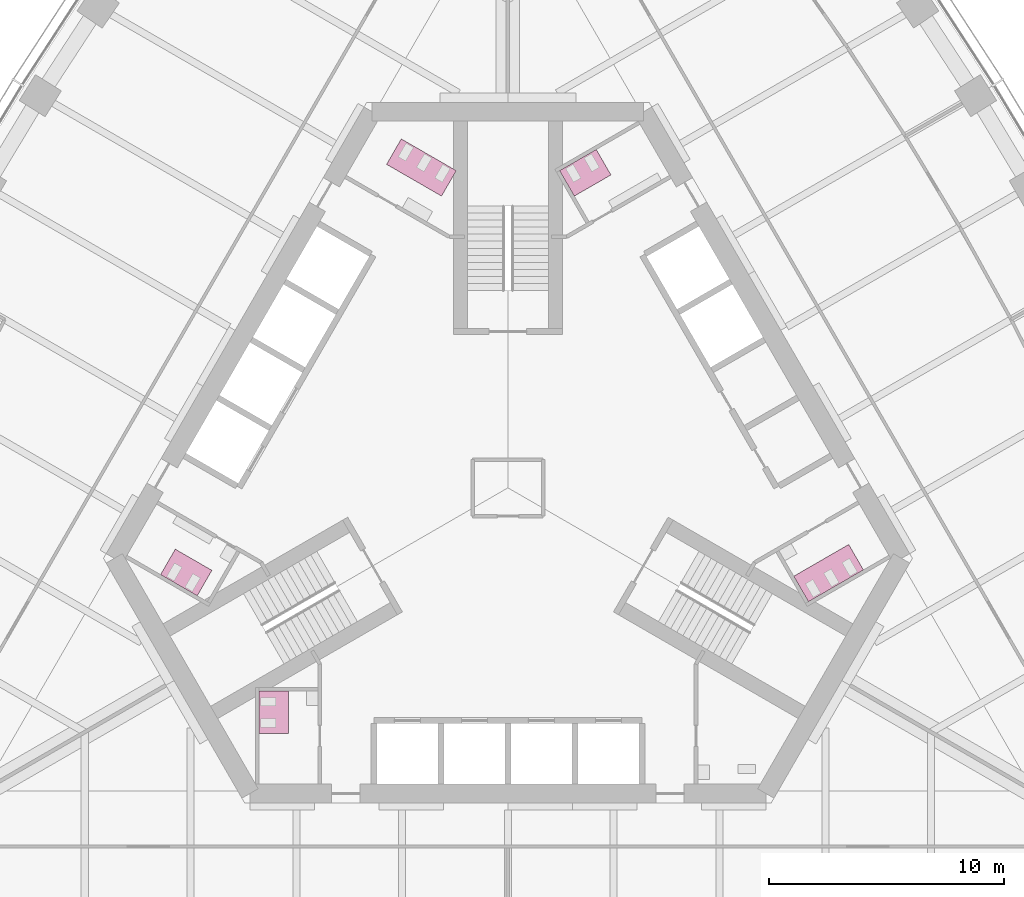
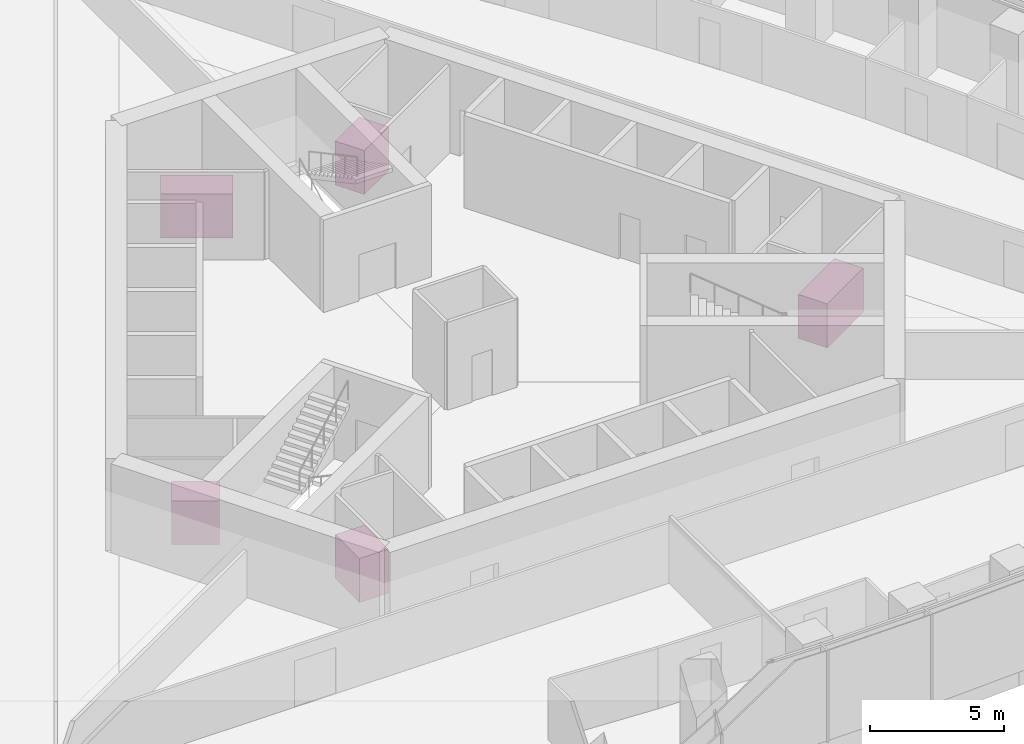
# One storey, part 19 of 19: 5 furniture elements.
"""IFC4 building model written with IfcOpenShell, lengths in metres."""

from ifc_helpers import new_model, si_unit, direction, frame, origin, place, context, subcontext, project, spatial, polyline, outline, extrude, material, type_object, element, save


model = new_model("IFC4")

# Units and contexts
model_context = context("Model", 3, precision=1e-05, world=origin(), true_north=direction((0.0, 1.0)))
body_context = subcontext(model_context, "Body", "Model", "MODEL_VIEW")
ifc_project = project(units=[si_unit("LENGTHUNIT", "METRE"), si_unit("AREAUNIT", "SQUARE_METRE"), si_unit("VOLUMEUNIT", "CUBIC_METRE"), si_unit("PLANEANGLEUNIT", "RADIAN"), si_unit("MASSUNIT", "GRAM", prefix="KILO")], contexts=[model_context])

# Site, building, storey
site_placement = place(None, origin())
site = spatial("IfcSite", under=ifc_project, at=site_placement, CompositionType="ELEMENT")
building_placement = place(site_placement, origin())
building = spatial("IfcBuilding", under=site, at=building_placement, Name="Trefoil Bronze Tower", CompositionType="ELEMENT")
storey_placement = place(building_placement, frame((0.0, 0.0, 119.89990234375)))
storey = spatial("IfcBuildingStorey", under=building, at=storey_placement, Name="L27", CompositionType="ELEMENT", Elevation=119.89990234375)

# Furniture
ifc_material_1 = material(Name="Compact laminate cubicles", Category="plastic")
furniture_type_1 = type_object("IfcFurnitureType", Name="WC cubicle range 2 cubicles", AssemblyPlace="FACTORY", PredefinedType="USERDEFINED", material=ifc_material_1)
furniture_1_placement = place(storey_placement, origin())
element("IfcFurniture", 1, at=furniture_1_placement, inside=storey, type_object=furniture_type_1, Name="WC cubicle range WC (men) L27", ObjectType="WC cubicle range", PredefinedType="USERDEFINED", context=body_context, shape_type="SweptSolid", body=[
    extrude(outline(polyline([(2.82373046875, 12.409423828125), (2.19873046875, 13.491943359375), (3.757568359375, 14.391845703125), (4.382568359375, 13.309326171875), (2.82373046875, 12.409423828125)])), origin(), (0.0, 0.0, 1.0), 2.0),
])
furniture_2_placement = place(storey_placement, origin())
element("IfcFurniture", 2, at=furniture_2_placement, inside=storey, type_object=furniture_type_1, Name="WC cubicle range WC (men) L27", ObjectType="WC cubicle range", PredefinedType="USERDEFINED", context=body_context, shape_type="SweptSolid", body=[
    extrude(outline(polyline([(-12.591552734375, -3.50927734375), (-13.216552734375, -4.591796875), (-14.775390625, -3.69189453125), (-14.150390625, -2.609375), (-12.591552734375, -3.50927734375)])), origin(), (0.0, 0.0, 1.0), 2.0),
])
furniture_3_placement = place(storey_placement, origin())
element("IfcFurniture", 3, at=furniture_3_placement, inside=storey, type_object=furniture_type_1, Name="WC cubicle range WC (women) L27", ObjectType="WC cubicle range", PredefinedType="USERDEFINED", context=body_context, shape_type="SweptSolid", body=[
    extrude(outline(polyline([(-9.3349609375, -8.64990234375), (-10.5849609375, -8.64990234375), (-10.5849609375, -10.449951171875), (-9.3349609375, -10.449951171875), (-9.3349609375, -8.64990234375)])), origin(), (0.0, 0.0, 1.0), 2.0),
])
ifc_material_2 = material(Name="Compact laminate cubicles", Category="plastic")
furniture_type_2 = type_object("IfcFurnitureType", Name="WC cubicle range 3 cubicles", AssemblyPlace="FACTORY", PredefinedType="USERDEFINED", material=ifc_material_2)
furniture_4_placement = place(storey_placement, origin())
element("IfcFurniture", 4, at=furniture_4_placement, inside=storey, type_object=furniture_type_2, Name="WC cubicle range WC (women) L27", ObjectType="WC cubicle range", PredefinedType="USERDEFINED", context=body_context, shape_type="SweptSolid", body=[
    extrude(outline(polyline([(12.15869140625, -3.75927734375), (12.78369140625, -4.841796875), (15.121826171875, -3.491943359375), (14.496826171875, -2.409423828125), (12.15869140625, -3.75927734375)])), origin(), (0.0, 0.0, 1.0), 2.0),
])
furniture_5_placement = place(storey_placement, origin())
element("IfcFurniture", 5, at=furniture_5_placement, inside=storey, type_object=furniture_type_2, Name="WC cubicle range WC (women) L27", ObjectType="WC cubicle range", PredefinedType="USERDEFINED", context=body_context, shape_type="SweptSolid", body=[
    extrude(outline(polyline([(-2.82373046875, 12.409423828125), (-2.19873046875, 13.491943359375), (-4.536865234375, 14.841796875), (-5.161865234375, 13.75927734375), (-2.82373046875, 12.409423828125)])), origin(), (0.0, 0.0, 1.0), 2.0),
])

save(model, "model.ifc")
